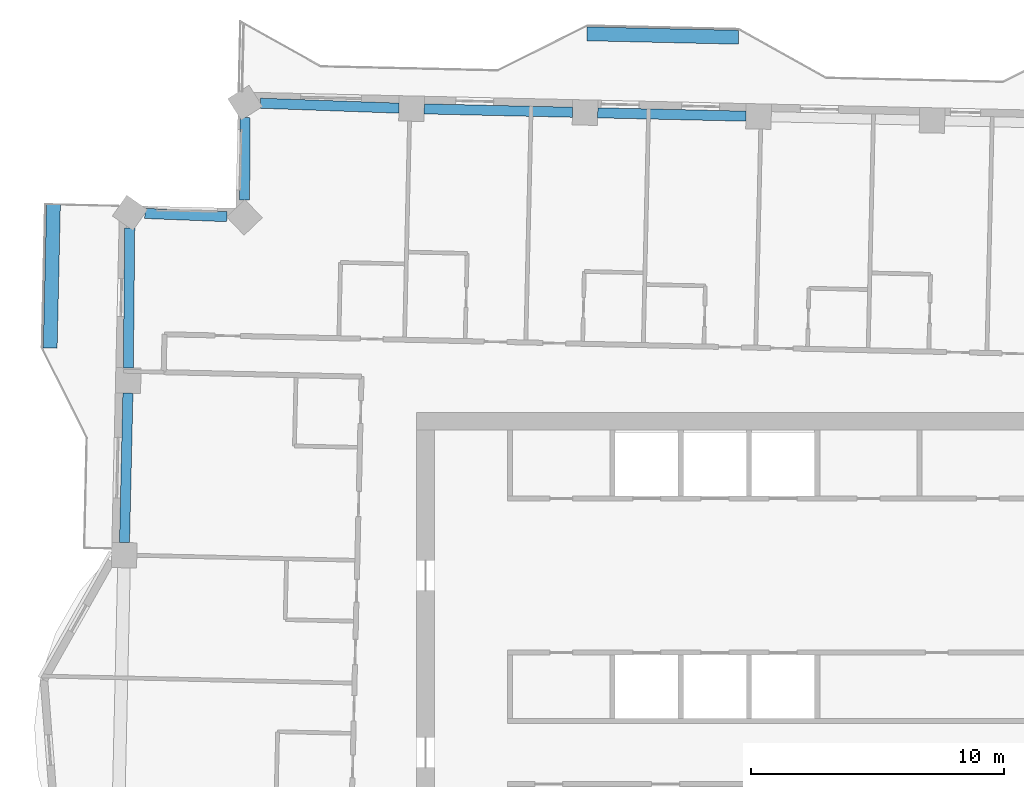
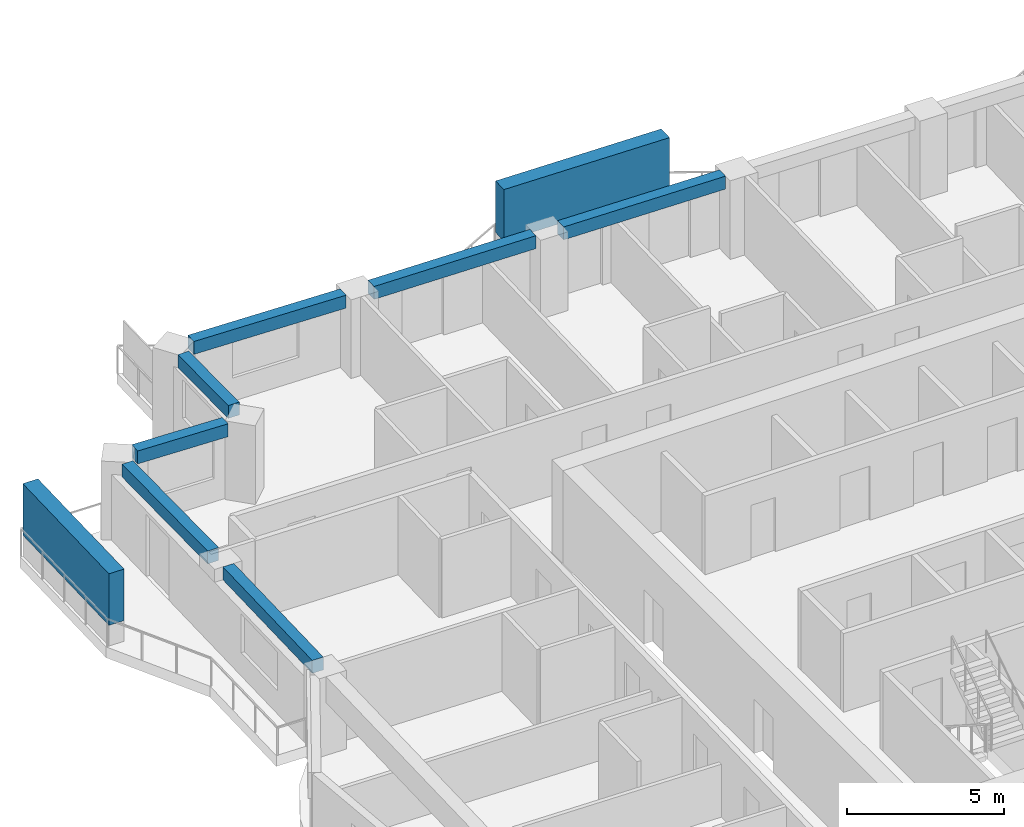
# One storey, part 3 of 17: 7 beams, 2 members.
"""IFC4 building model written with IfcOpenShell, lengths in metres."""

import ifcopenshell
import ifcopenshell.guid

model = None  # the IFC model being written
_history = None  # IfcOwnerHistory: only IFC2X3 demands one
_inside = {}  # id of a spatial element -> (the spatial element, [elements in it])
_under = {}  # id of a project, library or spatial element -> (it, [spatial elements below it])
_declared = {}  # id of a project -> (the project, [libraries it declares])
_typed = {}  # id of a type object -> (the type object, [elements of that type])
_made_of = {}  # id of a material, layer set ... -> (it, [elements and type objects made of it])


def new_model(schema):
    """Start an empty IFC model of exactly this schema.

    Asked for "IFC4X3", IfcOpenShell would pick the latest addendum, in which some entities
    have other attributes; the version numbers below select the first issue.
    IFC2X3 requires an IfcOwnerHistory on every rooted entity: one is made here for all.
    """
    global model, _history
    if schema == "IFC4X3":
        model = ifcopenshell.file(schema_version=(4, 3, 0, 0))
    else:
        model = ifcopenshell.file(schema=schema)
    _inside.clear()
    _under.clear()
    _declared.clear()
    _typed.clear()
    _made_of.clear()
    _history = None
    if model.schema == "IFC2X3":
        org = make("IfcOrganization", Name="unknown")
        user = make(
            "IfcPersonAndOrganization",
            ThePerson=make("IfcPerson", FamilyName="unknown"),
            TheOrganization=org,
        )
        app = make(
            "IfcApplication",
            ApplicationDeveloper=org,
            Version="unknown",
            ApplicationFullName="unknown",
            ApplicationIdentifier="unknown",
        )
        _history = make(
            "IfcOwnerHistory",
            OwningUser=user,
            OwningApplication=app,
            ChangeAction="ADDED",
            CreationDate=0,
        )
    return model


def make(cls, **values):
    """One entity of the class cls with the attributes given. An attribute that is None is left unset."""
    return model.create_entity(
        cls, **{name: value for name, value in values.items() if value is not None}
    )


def rooted(cls, **values):
    """An entity with a GlobalId (a new one), such as an element, a storey or a relation."""
    return make(cls, GlobalId=ifcopenshell.guid.new(), OwnerHistory=_history, **values)


def si_unit(unit_type, name, prefix=None):
    """IfcSIUnit, for example si_unit("LENGTHUNIT", "METRE", prefix="MILLI")."""
    return make("IfcSIUnit", UnitType=unit_type, Prefix=prefix, Name=name)


def assignment(units):
    """IfcUnitAssignment: the units of a project."""
    return None if units is None else make("IfcUnitAssignment", Units=units)


def point(xyz):
    """IfcCartesianPoint."""
    return None if xyz is None else make("IfcCartesianPoint", Coordinates=xyz)


def direction(xyz):
    """IfcDirection."""
    return None if xyz is None else make("IfcDirection", DirectionRatios=xyz)


def frame(location, z_axis=None, x_axis=None):
    """IfcAxis2Placement3D, a coordinate frame: its origin and axes. An axis left out is left unset."""
    return make(
        "IfcAxis2Placement3D",
        Location=point(location),
        Axis=direction(z_axis),
        RefDirection=direction(x_axis),
    )


def frame_2d(location, x_axis=None):
    """IfcAxis2Placement2D, a coordinate frame in the plane: its origin and x axis."""
    return make(
        "IfcAxis2Placement2D", Location=point(location), RefDirection=direction(x_axis)
    )


def origin():
    """The frame at (0, 0, 0) with its axes left unset."""
    return frame((0.0, 0.0, 0.0))


def origin_2d():
    """The frame at (0, 0) in the plane with its x axis left unset."""
    return frame_2d((0.0, 0.0))


def place(relative_to, where):
    """IfcLocalPlacement: puts the frame where relative to a parent placement (None: the world)."""
    return make(
        "IfcLocalPlacement", PlacementRelTo=relative_to, RelativePlacement=where
    )


def context(
    kind, dimensions, precision=None, world=None, true_north=None, identifier=None
):
    """IfcGeometricRepresentationContext, for example the 3D "Model" context."""
    return make(
        "IfcGeometricRepresentationContext",
        ContextIdentifier=identifier,
        ContextType=kind,
        CoordinateSpaceDimension=dimensions,
        Precision=precision,
        WorldCoordinateSystem=world,
        TrueNorth=true_north,
    )


def subcontext(parent, identifier, kind, view, scale=None):
    """IfcGeometricRepresentationSubContext, for example "Body" below "Model"."""
    return make(
        "IfcGeometricRepresentationSubContext",
        ContextIdentifier=identifier,
        ContextType=kind,
        ParentContext=parent,
        TargetScale=scale,
        TargetView=view,
    )


def project(units=None, contexts=None):
    """IfcProject with its units and contexts."""
    return rooted(
        "IfcProject",
        Name="project",
        RepresentationContexts=contexts,
        UnitsInContext=assignment(units),
    )


def spatial(cls, under=None, at=None, **own):
    """A site, building, storey or space (cls), placed at a placement, below another one or the project."""
    s = rooted(cls, ObjectPlacement=at, **own)
    if under is not None:
        _under.setdefault(under.id(), (under, []))[1].append(s)
    return s


def profile(cls, at=None, kind="AREA", **sizes):
    """A parametric profile (cls). Its sizes go by their IFC names, for example OverallWidth=200.0."""
    return make(cls, ProfileType=kind, Position=at, **sizes)


def rectangle(**sizes):
    """IfcRectangleProfileDef."""
    return profile("IfcRectangleProfileDef", **sizes)


def extrude(swept, where, along, depth):
    """IfcExtrudedAreaSolid: the profile swept, set in the frame where, extruded along a direction by depth."""
    return make(
        "IfcExtrudedAreaSolid",
        SweptArea=swept,
        Position=where,
        ExtrudedDirection=direction(along),
        Depth=depth,
    )


def shape(context_of_items, identifier, shape_type, items):
    """IfcShapeRepresentation: the items that make up one representation, for example the "Body"."""
    return make(
        "IfcShapeRepresentation",
        ContextOfItems=context_of_items,
        RepresentationIdentifier=identifier,
        RepresentationType=shape_type,
        Items=items,
    )


def material(Name=None, Category=None):
    """IfcMaterial."""
    return make("IfcMaterial", Name=Name, Category=Category)


def material_profile(
    of_material, cross_section, Name=None, Category=None, Priority=None
):
    """IfcMaterialProfile: a cross section and its material."""
    return make(
        "IfcMaterialProfile",
        Name=Name,
        Material=of_material,
        Profile=cross_section,
        Priority=Priority,
        Category=Category,
    )


def profile_set(profiles, Name=None, composite=None):
    """IfcMaterialProfileSet."""
    return make(
        "IfcMaterialProfileSet",
        Name=Name,
        MaterialProfiles=profiles,
        CompositeProfile=composite,
    )


def made_of(thing, what):
    """Note that an element or type object is made of a material, layer set ...; save() writes the relation."""
    if what is not None:
        _made_of.setdefault(what.id(), (what, []))[1].append(thing)
    return thing


def type_object(cls, material=None, **own):
    """A type object (cls), such as IfcWallType, which elements share."""
    return made_of(rooted(cls, **own), material)


def element(
    cls,
    number,
    at=None,
    inside=None,
    cuts=None,
    type_object=None,
    material=None,
    context=None,
    identifier="Body",
    shape_type=None,
    held_by="IfcProductDefinitionShape",
    body=None,
    shapes=None,
    **own,
):
    """One element of the class cls, such as IfcWall. Its Tag is "e" and its number.

    at: its placement. inside: the storey or other place that contains it. cuts: it is an
    opening in that element (IfcRelVoidsElement). A single representation is given by context,
    identifier, shape_type and body (its items); several are given by shapes. held_by: the class
    of the entity that holds the representations. save() writes the other relations.
    """
    e = rooted(cls, Tag="e%d" % number, ObjectPlacement=at, **own)
    if body is not None:
        shapes = [shape(context, identifier, shape_type, body)]
    if shapes is not None:
        e.Representation = make(held_by, Representations=shapes)
    if inside is not None:
        _inside.setdefault(inside.id(), (inside, []))[1].append(e)
    if cuts is not None:
        rooted(
            "IfcRelVoidsElement", RelatingBuildingElement=cuts, RelatedOpeningElement=e
        )
    if type_object is not None:
        _typed.setdefault(type_object.id(), (type_object, []))[1].append(e)
    return made_of(e, material)


def aggregate(whole, parts):
    """IfcRelAggregates: a whole, such as a stair, and the parts it consists of."""
    return rooted("IfcRelAggregates", RelatingObject=whole, RelatedObjects=parts)


def save(model, path):
    """Write the relations noted so far, then the file.

    IfcRelAggregates (storeys below a building ...), IfcRelContainedInSpatialStructure (elements
    in a storey), IfcRelDefinesByType, IfcRelAssociatesMaterial and IfcRelDeclares: one each for
    every whole, place, type object, material and project.
    """
    for whole, parts in _under.values():
        aggregate(whole, parts)
    for where, things in _inside.values():
        rooted(
            "IfcRelContainedInSpatialStructure",
            RelatedElements=things,
            RelatingStructure=where,
        )
    for kind, things in _typed.values():
        rooted("IfcRelDefinesByType", RelatedObjects=things, RelatingType=kind)
    for what, things in _made_of.values():
        rooted("IfcRelAssociatesMaterial", RelatedObjects=things, RelatingMaterial=what)
    for by, libraries in _declared.values():
        rooted("IfcRelDeclares", RelatingContext=by, RelatedDefinitions=libraries)
    model.write(path)


model = new_model("IFC4")

# Units and contexts
model_context = context("Model", 3, precision=1e-05, world=origin(), true_north=direction((0.0, 1.0)))
body_context = subcontext(model_context, "Body", "Model", "MODEL_VIEW")
ifc_project = project(units=[si_unit("LENGTHUNIT", "METRE"), si_unit("AREAUNIT", "SQUARE_METRE"), si_unit("VOLUMEUNIT", "CUBIC_METRE"), si_unit("PLANEANGLEUNIT", "RADIAN"), si_unit("MASSUNIT", "GRAM", prefix="KILO")], contexts=[model_context])

# Site, building, storey
site_placement = place(None, origin())
site = spatial("IfcSite", under=ifc_project, at=site_placement, CompositionType="ELEMENT")
building_placement = place(site_placement, origin())
building = spatial("IfcBuilding", under=site, at=building_placement, Name="Mangrove Gate Tower", CompositionType="ELEMENT")
storey_placement = place(building_placement, frame((0.0, 0.0, 257.300048828125)))
storey = spatial("IfcBuildingStorey", under=building, at=storey_placement, Name="L65", CompositionType="ELEMENT", Elevation=257.300048828125)

# Members
ifc_material_1 = material(Name="Planting on aluminium trellis", Category="aluminium")
ifc_material_profile_1 = material_profile(ifc_material_1, rectangle(XDim=0.550048828125, YDim=2.0, at=origin_2d()))
ifc_profile_set_1 = profile_set([ifc_material_profile_1], Name="Planting on aluminium trellis")
member_type = type_object("IfcMemberType", Name="Balcony greenery screen 550x2000", PredefinedType="USERDEFINED", material=ifc_profile_set_1)
member_1_placement = place(storey_placement, frame((-7.763916015625, 26.485107421875, 1.800048828125), z_axis=(0.999743178102, -0.022662255828, 0.0), x_axis=(0.022662255828, 0.999743178102, 0.0)))
element("IfcMember", 1, at=member_1_placement, inside=storey, type_object=member_type, Name="GREEN SCREEN L65 N1.1", ObjectType="PLANTING", PredefinedType="USERDEFINED", context=body_context, shape_type="SweptSolid", body=[
    extrude(rectangle(XDim=0.550048828125, YDim=2.0, at=origin_2d()), origin(), (0.0, 0.0, 1.0), 6.00048828125),
])
member_2_placement = place(storey_placement, frame((-29.0029296875, 14.049072265625, 1.800048828125), z_axis=(0.022788544648, 0.999740307396, 0.0), x_axis=(-0.999740307396, 0.022788544648, 0.0)))
element("IfcMember", 2, at=member_2_placement, inside=storey, type_object=member_type, Name="GREEN SCREEN L65 W0.1", ObjectType="PLANTING", PredefinedType="USERDEFINED", context=body_context, shape_type="SweptSolid", body=[
    extrude(rectangle(XDim=0.550048828125, YDim=2.0, at=origin_2d()), origin(), (0.0, 0.0, 1.0), 5.699462890625),
])

# Beams
ifc_material_2 = material(Name="Concrete C50/60", Category="concrete")
ifc_material_profile_2 = material_profile(ifc_material_2, rectangle(XDim=0.39990234375, YDim=0.5, at=origin_2d()))
ifc_profile_set_2 = profile_set([ifc_material_profile_2], Name="Concrete C50/60")
beam_type = type_object("IfcBeamType", Name="Edge beam RC 400x500 C50/60", PredefinedType="BEAM", material=ifc_profile_set_2)
beam_1_placement = place(storey_placement, frame((-1.47021484375, 23.226318359375, 2.800048828125), z_axis=(-0.999744748613, 0.022592866593, 0.0), x_axis=(-0.022592866593, -0.999744748613, 0.0)))
element("IfcBeam", 3, at=beam_1_placement, inside=storey, type_object=beam_type, Name="Edge beam L65 24", PredefinedType="BEAM", context=body_context, shape_type="SweptSolid", body=[
    extrude(rectangle(XDim=0.39990234375, YDim=0.5, at=origin_2d()), origin(), (0.0, 0.0, 1.0), 5.86767578125),
])
beam_2_placement = place(storey_placement, frame((-8.336181640625, 23.381591796875, 2.800048828125), z_axis=(-0.999742779972, 0.022679812483, 0.0), x_axis=(-0.022679812483, -0.999742779972, 0.0)))
element("IfcBeam", 4, at=beam_2_placement, inside=storey, type_object=beam_type, Name="Edge beam L65 25", PredefinedType="BEAM", context=body_context, shape_type="SweptSolid", body=[
    extrude(rectangle(XDim=0.39990234375, YDim=0.5, at=origin_2d()), origin(), (0.0, 0.0, 1.0), 5.86669921875),
])
beam_3_placement = place(storey_placement, frame((-15.201171875, 23.5439453125, 2.800048828125), z_axis=(-0.999368457759, 0.035534288165, 0.0), x_axis=(-0.035534288165, -0.999368457759, 0.0)))
element("IfcBeam", 5, at=beam_3_placement, inside=storey, type_object=beam_type, Name="Edge beam L65 26", PredefinedType="BEAM", context=body_context, shape_type="SweptSolid", body=[
    extrude(rectangle(XDim=0.39990234375, YDim=0.5, at=origin_2d()), origin(), (0.0, 0.0, 1.0), 5.482666015625),
])
beam_4_placement = place(storey_placement, frame((-21.290771484375, 23.1650390625, 2.800048828125), z_axis=(-0.006013120391, -0.999981921028, 0.0), x_axis=(0.999981921028, -0.006013120391, 0.0)))
element("IfcBeam", 6, at=beam_4_placement, inside=storey, type_object=beam_type, Name="Edge beam L65 27", PredefinedType="BEAM", context=body_context, shape_type="SweptSolid", body=[
    extrude(rectangle(XDim=0.39990234375, YDim=0.5, at=origin_2d()), origin(), (0.0, 0.0, 1.0), 3.248046875),
])
beam_5_placement = place(storey_placement, frame((-22.009521484375, 19.2490234375, 2.800048828125), z_axis=(-0.999212441991, 0.039679916469, 0.0), x_axis=(-0.039679916469, -0.999212441991, 0.0)))
element("IfcBeam", 7, at=beam_5_placement, inside=storey, type_object=beam_type, Name="Edge beam L65 28", PredefinedType="BEAM", context=body_context, shape_type="SweptSolid", body=[
    extrude(rectangle(XDim=0.39990234375, YDim=0.5, at=origin_2d()), origin(), (0.0, 0.0, 1.0), 3.24853515625),
])
beam_6_placement = place(storey_placement, frame((-25.855224609375, 18.7958984375, 2.800048828125), z_axis=(-0.010108966043, -0.999948903097, 0.0), x_axis=(0.999948903097, -0.010108966043, 0.0)))
element("IfcBeam", 8, at=beam_6_placement, inside=storey, type_object=beam_type, Name="Edge beam L65 29", PredefinedType="BEAM", context=body_context, shape_type="SweptSolid", body=[
    extrude(rectangle(XDim=0.39990234375, YDim=0.5, at=origin_2d()), origin(), (0.0, 0.0, 1.0), 5.530517578125),
])
beam_7_placement = place(storey_placement, frame((-25.927490234375, 12.265869140625, 2.800048828125), z_axis=(-0.022709212486, -0.999742112581, 0.0), x_axis=(0.999742112581, -0.022709212486, 0.0)))
element("IfcBeam", 9, at=beam_7_placement, inside=storey, type_object=beam_type, Name="Edge beam L65 30", PredefinedType="BEAM", context=body_context, shape_type="SweptSolid", body=[
    extrude(rectangle(XDim=0.39990234375, YDim=0.5, at=origin_2d()), origin(), (0.0, 0.0, 1.0), 5.912841796875),
])

save(model, "model.ifc")
